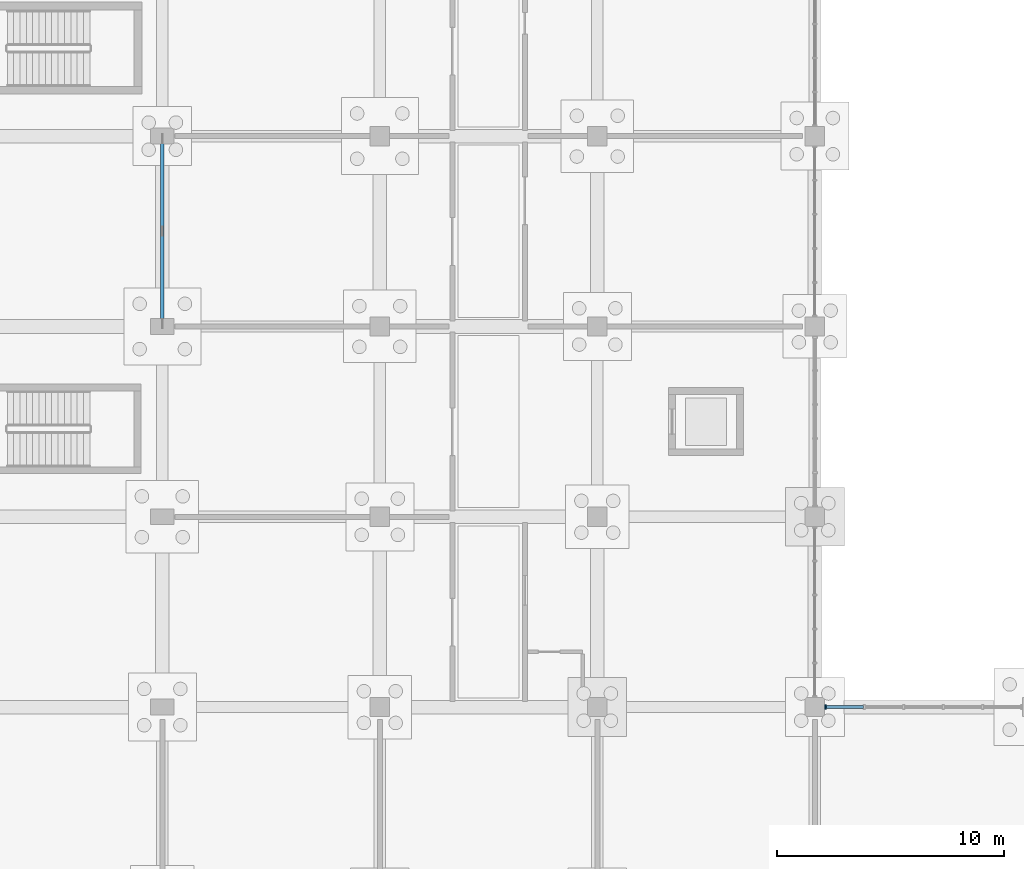
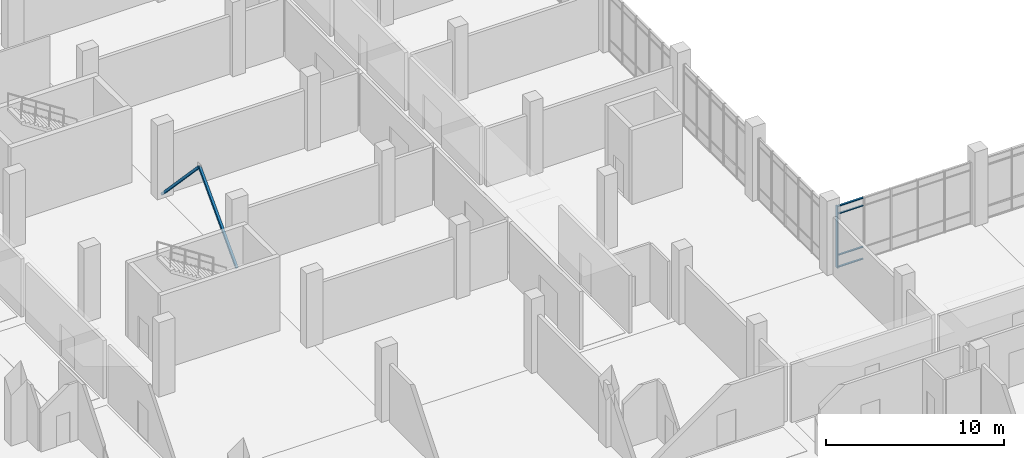
# One storey, part 30 of 136: 7 members, 1 element without a shape of its own.
"""IFC4 building model written with IfcOpenShell, lengths in metres."""

from ifc_helpers import new_model, si_unit, direction, frame, origin, origin_2d, place, context, subcontext, project, spatial, rectangle, hollow_rectangle, extrude, material, material_profile, profile_set, type_object, element, aggregate, save


model = new_model("IFC4")

# Units and contexts
model_context = context("Model", 3, precision=1e-05, world=origin(), true_north=direction((0.0, 1.0)))
body_context = subcontext(model_context, "Body", "Model", "MODEL_VIEW")
ifc_project = project(units=[si_unit("LENGTHUNIT", "METRE"), si_unit("AREAUNIT", "SQUARE_METRE"), si_unit("VOLUMEUNIT", "CUBIC_METRE"), si_unit("PLANEANGLEUNIT", "RADIAN"), si_unit("MASSUNIT", "GRAM", prefix="KILO")], contexts=[model_context])

# Site, building, storey
site_placement = place(None, origin())
site = spatial("IfcSite", under=ifc_project, at=site_placement, CompositionType="ELEMENT")
building_placement = place(site_placement, origin())
building = spatial("IfcBuilding", under=site, at=building_placement, Name="Oolite Switchyard Hospital", CompositionType="ELEMENT")
storey_placement = place(building_placement, origin())
storey = spatial("IfcBuildingStorey", under=building, at=storey_placement, Name="L00", CompositionType="ELEMENT", Elevation=0.0)

# Curtain wall, members
ifc_material_1 = material(Name="Thermally broken aluminum frame with laminated impact glazing", Category="aluminium")
curtain_wall_type = type_object("IfcCurtainWallType", Name="CW-UNIT-96X51", PredefinedType="USERDEFINED", material=ifc_material_1)
curtain_wall_placement = place(storey_placement, origin())
curtain_wall = element("IfcCurtainWall", 1, at=curtain_wall_placement, inside=storey, type_object=curtain_wall_type, Name="L00 Unitised Curtain Wall 14", ObjectType="UNITISED", PredefinedType="USERDEFINED")
ifc_material_2 = material(Name="Aluminium 6063-T6", Category="aluminium")
ifc_material_profile_1 = material_profile(ifc_material_2, rectangle(XDim=0.199951171875, YDim=0.074951171875, at=origin_2d()), Name="CWM75X200")
ifc_profile_set_1 = profile_set([ifc_material_profile_1], Name="Aluminium 6063-T6")
member_type_1 = type_object("IfcMemberType", Name="CW-MUL-260", PredefinedType="MULLION", material=ifc_profile_set_1)
member_1_placement = place(storey_placement, frame((58.077392578125, 33.60009765625, 0.0), z_axis=(0.0, 0.0, 1.0), x_axis=(0.0, 1.0, 0.0)))
member_1 = element("IfcMember", 2, at=member_1_placement, type_object=member_type_1, Name="CW-01 mullion 1", PredefinedType="MULLION", context=body_context, shape_type="SweptSolid", body=[
    extrude(rectangle(XDim=0.199951171875, YDim=0.074951171875, at=origin_2d()), origin(), (0.0, 0.0, 1.0), 4.239990234375),
])
ifc_material_profile_2 = material_profile(ifc_material_2, rectangle(XDim=0.1201171875, YDim=0.06005859375, at=origin_2d()), Name="CWT60X120")
ifc_profile_set_2 = profile_set([ifc_material_profile_2], Name="Aluminium 6063-T6")
member_type_2 = type_object("IfcMemberType", Name="CW-TRN-150", PredefinedType="USERDEFINED", material=ifc_profile_set_2)
member_2_placement = place(storey_placement, frame((58.114990234375, 33.60009765625, 0.030029296875), z_axis=(1.0, 0.0, 0.0), x_axis=(0.0, 1.0, 0.0)))
member_2 = element("IfcMember", 3, at=member_2_placement, type_object=member_type_2, Name="CW-01 transom 1.1", ObjectType="TRANSOM", PredefinedType="USERDEFINED", context=body_context, shape_type="SweptSolid", body=[
    extrude(rectangle(XDim=0.1201171875, YDim=0.06005859375, at=origin_2d()), origin(), (0.0, 0.0, 1.0), 1.631591796875),
])
member_3_placement = place(storey_placement, frame((58.114990234375, 33.60009765625, 0.85009765625), z_axis=(1.0, 0.0, 0.0), x_axis=(0.0, 1.0, 0.0)))
member_3 = element("IfcMember", 4, at=member_3_placement, type_object=member_type_2, Name="CW-01 transom 1.2", ObjectType="TRANSOM", PredefinedType="USERDEFINED", context=body_context, shape_type="SweptSolid", body=[
    extrude(rectangle(XDim=0.1201171875, YDim=0.06005859375, at=origin_2d()), origin(), (0.0, 0.0, 1.0), 1.631591796875),
])
member_4_placement = place(storey_placement, frame((58.114990234375, 33.60009765625, 3.68994140625), z_axis=(1.0, 0.0, 0.0), x_axis=(0.0, 1.0, 0.0)))
member_4 = element("IfcMember", 5, at=member_4_placement, type_object=member_type_2, Name="CW-01 transom 1.3", ObjectType="TRANSOM", PredefinedType="USERDEFINED", context=body_context, shape_type="SweptSolid", body=[
    extrude(rectangle(XDim=0.1201171875, YDim=0.06005859375, at=origin_2d()), origin(), (0.0, 0.0, 1.0), 1.631591796875),
])
member_5_placement = place(storey_placement, frame((58.114990234375, 33.60009765625, 4.2099609375), z_axis=(1.0, 0.0, 0.0), x_axis=(0.0, 1.0, 0.0)))
member_5 = element("IfcMember", 6, at=member_5_placement, type_object=member_type_2, Name="CW-01 transom 1.4", ObjectType="TRANSOM", PredefinedType="USERDEFINED", context=body_context, shape_type="SweptSolid", body=[
    extrude(rectangle(XDim=0.1201171875, YDim=0.06005859375, at=origin_2d()), origin(), (0.0, 0.0, 1.0), 1.631591796875),
])
aggregate(curtain_wall, [member_1, member_2, member_3, member_4, member_5])

# Members
ifc_material_3 = material(Name="Steel ASTM A500 Grade C", Category="steel")
ifc_material_profile_3 = material_profile(ifc_material_3, hollow_rectangle(XDim=0.152099609375, YDim=0.152099609375, WallThickness=0.010009765625, at=origin_2d()), Name="HSS152X152X10")
ifc_profile_set_3 = profile_set([ifc_material_profile_3], Name="Steel ASTM A500 Grade C")
member_type_3 = type_object("IfcMemberType", Name="MEM-BR-HSS152", PredefinedType="BRACE", material=ifc_profile_set_3)
for number, where, z_axis, x_axis, name in (
    (7, (28.800048828125, 50.39990234375, 0.02001953125), (0.0, 0.688039663579, 0.725673081588), (-1.0, 0.0, 0.0), "L00 Chevron Brace 15"),
    (8, (28.800048828125, 58.800048828125, 0.02001953125), (0.0, -0.688018602336, 0.725693050014), (1.0, 0.0, 0.0), "L00 Chevron Brace 16"),
):
    element("IfcMember", number, at=place(storey_placement, frame(where, z_axis=z_axis, x_axis=x_axis)), inside=storey, type_object=member_type_3, Name=name, PredefinedType="BRACE", context=body_context, shape_type="SweptSolid", body=[
        extrude(hollow_rectangle(XDim=0.152099609375, YDim=0.152099609375, WallThickness=0.010009765625, at=origin_2d()), origin(), (0.0, 0.0, 1.0), 6.1044921875),
    ])

save(model, "model.ifc")
